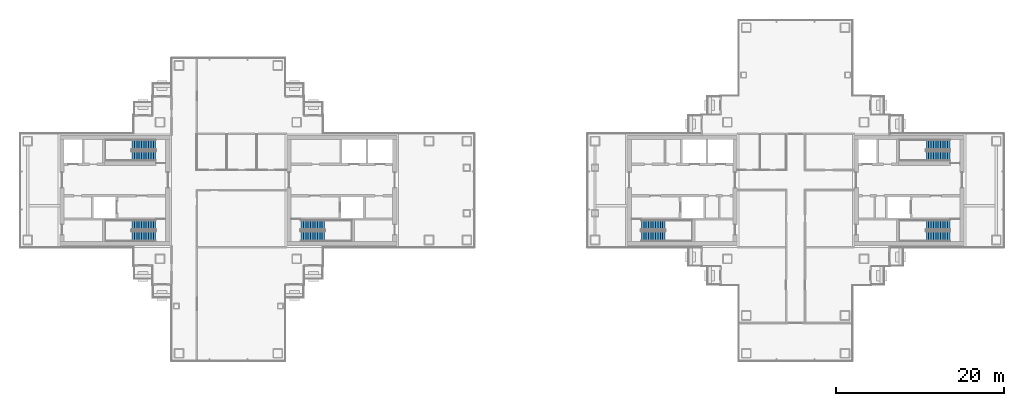
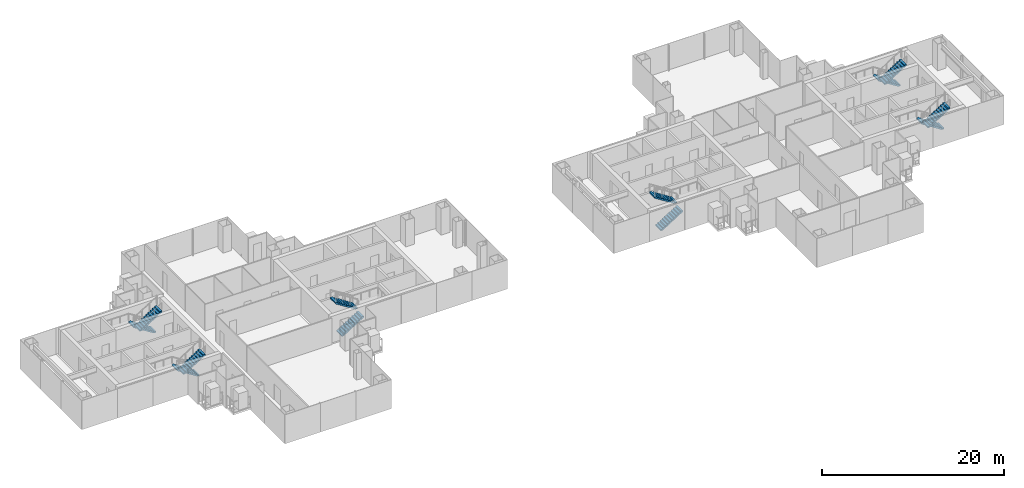
# One storey, part 14 of 17: 12 stair flights, 6 elements without a shape of their own.
"""IFC4 building model written with IfcOpenShell, lengths in metres."""

from ifc_helpers import new_model, si_unit, direction, frame, origin, place, context, subcontext, project, spatial, polyline, outline, extrude, material, type_object, element, aggregate, save


model = new_model("IFC4")

# Units and contexts
model_context = context("Model", 3, precision=1e-05, world=origin(), true_north=direction((0.0, 1.0)))
body_context = subcontext(model_context, "Body", "Model", "MODEL_VIEW")
ifc_project = project(units=[si_unit("LENGTHUNIT", "METRE"), si_unit("AREAUNIT", "SQUARE_METRE"), si_unit("VOLUMEUNIT", "CUBIC_METRE"), si_unit("PLANEANGLEUNIT", "RADIAN"), si_unit("MASSUNIT", "GRAM", prefix="KILO")], contexts=[model_context])

# Site, building, storey
site_placement = place(None, origin())
site = spatial("IfcSite", under=ifc_project, at=site_placement, CompositionType="ELEMENT")
building_placement = place(site_placement, origin())
building = spatial("IfcBuilding", under=site, at=building_placement, Name="Shamsa Quay Exchange Towers", CompositionType="ELEMENT")
storey_placement = place(building_placement, frame((0.0, 0.0, 170.10009765625)))
storey = spatial("IfcBuildingStorey", under=building, at=storey_placement, Name="L40", CompositionType="ELEMENT", Elevation=170.10009765625)

# Stair, stair flights
ifc_material = material(Name="Concrete C40/50", Category="concrete")
stair_type = type_object("IfcStairType", Name="EXIT STAIR 22 RISERS 177 MM", PredefinedType="HALF_TURN_STAIR", material=ifc_material)
stair_1_placement = place(storey_placement, origin())
stair_1 = element("IfcStair", 1, at=stair_1_placement, inside=storey, type_object=stair_type, Name="L40 Exit stair ST1", PredefinedType="HALF_TURN_STAIR")
stair_flight_type = type_object("IfcStairFlightType", Name="EXIT STAIR FLIGHT 11 RISERS 177 MM", PredefinedType="STRAIGHT", material=ifc_material)
stair_flight_1_placement = place(storey_placement, frame((-25.10009765625, -5.449951171875, 0.0)))
stair_flight_1 = element("IfcStairFlight", 2, at=stair_flight_1_placement, type_object=stair_flight_type, Name="ST1 flight 1", NumberOfRisers=11, NumberOfTreads=10, PredefinedType="STRAIGHT", RiserHeight=0.177272727, TreadLength=0.28, context=body_context, shape_type="SweptSolid", body=[
    extrude(outline(polyline([(0.0, 0.0), (0.0, 0.17724609375), (0.280029296875, 0.17724609375), (0.280029296875, 0.3544921875), (0.56005859375, 0.3544921875), (0.56005859375, 0.53173828125), (0.840087890625, 0.53173828125), (0.840087890625, 0.708984375), (1.1201171875, 0.708984375), (1.1201171875, 0.886474609375), (1.39990234375, 0.886474609375), (1.39990234375, 1.063720703125), (1.679931640625, 1.063720703125), (1.679931640625, 1.240966796875), (1.9599609375, 1.240966796875), (1.9599609375, 1.418212890625), (2.239990234375, 1.418212890625), (2.239990234375, 1.595458984375), (2.52001953125, 1.595458984375), (2.52001953125, 1.772705078125), (2.800048828125, 1.772705078125), (2.800048828125, 1.949951171875), (2.800048828125, 1.607177734375), (0.261474609375, 0.0), (0.0, 0.0)])), frame((0.0, 0.60009765625, 0.0), z_axis=(0.0, -1.0, 0.0), x_axis=(1.0, 0.0, 0.0)), (0.0, 0.0, 1.0), 1.199951171875),
])
stair_flight_2_placement = place(storey_placement, frame((-22.300048828125, -4.10009765625, 1.949951171875), z_axis=(0.0, 0.0, 1.0), x_axis=(-1.0, 0.0, 0.0)))
stair_flight_2 = element("IfcStairFlight", 3, at=stair_flight_2_placement, type_object=stair_flight_type, Name="ST1 flight 2", NumberOfRisers=11, NumberOfTreads=10, PredefinedType="STRAIGHT", RiserHeight=0.177272727, TreadLength=0.28, context=body_context, shape_type="SweptSolid", body=[
    extrude(outline(polyline([(0.0, 0.0), (0.0, 0.17724609375), (0.280029296875, 0.17724609375), (0.280029296875, 0.3544921875), (0.56005859375, 0.3544921875), (0.56005859375, 0.53173828125), (0.840087890625, 0.53173828125), (0.840087890625, 0.708984375), (1.1201171875, 0.708984375), (1.1201171875, 0.886474609375), (1.39990234375, 0.886474609375), (1.39990234375, 1.063720703125), (1.679931640625, 1.063720703125), (1.679931640625, 1.240966796875), (1.9599609375, 1.240966796875), (1.9599609375, 1.418212890625), (2.239990234375, 1.418212890625), (2.239990234375, 1.595458984375), (2.52001953125, 1.595458984375), (2.52001953125, 1.772705078125), (2.800048828125, 1.772705078125), (2.800048828125, 1.949951171875), (2.800048828125, 1.607177734375), (0.261474609375, 0.0), (0.0, 0.0)])), frame((0.0, 0.60009765625, 0.0), z_axis=(0.0, -1.0, 0.0), x_axis=(1.0, 0.0, 0.0)), (0.0, 0.0, 1.0), 1.199951171875),
])
aggregate(stair_1, [stair_flight_1, stair_flight_2])

stair_2_placement = place(storey_placement, origin())
stair_2 = element("IfcStair", 4, at=stair_2_placement, inside=storey, type_object=stair_type, Name="L40 Exit stair ST2", PredefinedType="HALF_TURN_STAIR")
stair_flight_3_placement = place(storey_placement, frame((-42.39990234375, -4.10009765625, 0.0), z_axis=(0.0, 0.0, 1.0), x_axis=(-1.0, 0.0, 0.0)))
stair_flight_3 = element("IfcStairFlight", 5, at=stair_flight_3_placement, type_object=stair_flight_type, Name="ST2 flight 1", NumberOfRisers=11, NumberOfTreads=10, PredefinedType="STRAIGHT", RiserHeight=0.177272727, TreadLength=0.28, context=body_context, shape_type="SweptSolid", body=[
    extrude(outline(polyline([(0.0, 0.0), (0.0, 0.17724609375), (0.280029296875, 0.17724609375), (0.280029296875, 0.3544921875), (0.56005859375, 0.3544921875), (0.56005859375, 0.53173828125), (0.840087890625, 0.53173828125), (0.840087890625, 0.708984375), (1.1201171875, 0.708984375), (1.1201171875, 0.886474609375), (1.39990234375, 0.886474609375), (1.39990234375, 1.063720703125), (1.679931640625, 1.063720703125), (1.679931640625, 1.240966796875), (1.9599609375, 1.240966796875), (1.9599609375, 1.418212890625), (2.239990234375, 1.418212890625), (2.239990234375, 1.595458984375), (2.52001953125, 1.595458984375), (2.52001953125, 1.772705078125), (2.800048828125, 1.772705078125), (2.800048828125, 1.949951171875), (2.800048828125, 1.607177734375), (0.261474609375, 0.0), (0.0, 0.0)])), frame((0.0, 0.60009765625, 0.0), z_axis=(0.0, -1.0, 0.0), x_axis=(1.0, 0.0, 0.0)), (0.0, 0.0, 1.0), 1.199951171875),
])
stair_flight_4_placement = place(storey_placement, frame((-45.199951171875, -5.449951171875, 1.949951171875)))
stair_flight_4 = element("IfcStairFlight", 6, at=stair_flight_4_placement, type_object=stair_flight_type, Name="ST2 flight 2", NumberOfRisers=11, NumberOfTreads=10, PredefinedType="STRAIGHT", RiserHeight=0.177272727, TreadLength=0.28, context=body_context, shape_type="SweptSolid", body=[
    extrude(outline(polyline([(0.0, 0.0), (0.0, 0.17724609375), (0.280029296875, 0.17724609375), (0.280029296875, 0.3544921875), (0.56005859375, 0.3544921875), (0.56005859375, 0.53173828125), (0.840087890625, 0.53173828125), (0.840087890625, 0.708984375), (1.1201171875, 0.708984375), (1.1201171875, 0.886474609375), (1.39990234375, 0.886474609375), (1.39990234375, 1.063720703125), (1.679931640625, 1.063720703125), (1.679931640625, 1.240966796875), (1.9599609375, 1.240966796875), (1.9599609375, 1.418212890625), (2.239990234375, 1.418212890625), (2.239990234375, 1.595458984375), (2.52001953125, 1.595458984375), (2.52001953125, 1.772705078125), (2.800048828125, 1.772705078125), (2.800048828125, 1.949951171875), (2.800048828125, 1.607177734375), (0.261474609375, 0.0), (0.0, 0.0)])), frame((0.0, 0.60009765625, 0.0), z_axis=(0.0, -1.0, 0.0), x_axis=(1.0, 0.0, 0.0)), (0.0, 0.0, 1.0), 1.199951171875),
])
aggregate(stair_2, [stair_flight_3, stair_flight_4])

stair_3_placement = place(storey_placement, origin())
stair_3 = element("IfcStair", 7, at=stair_3_placement, inside=storey, type_object=stair_type, Name="L40 Exit stair ST3", PredefinedType="HALF_TURN_STAIR")
stair_flight_5_placement = place(storey_placement, frame((-42.39990234375, 5.449951171875, 0.0), z_axis=(0.0, 0.0, 1.0), x_axis=(-1.0, 0.0, 0.0)))
stair_flight_5 = element("IfcStairFlight", 8, at=stair_flight_5_placement, type_object=stair_flight_type, Name="ST3 flight 1", NumberOfRisers=11, NumberOfTreads=10, PredefinedType="STRAIGHT", RiserHeight=0.177272727, TreadLength=0.28, context=body_context, shape_type="SweptSolid", body=[
    extrude(outline(polyline([(0.0, 0.0), (0.0, 0.17724609375), (0.280029296875, 0.17724609375), (0.280029296875, 0.3544921875), (0.56005859375, 0.3544921875), (0.56005859375, 0.53173828125), (0.840087890625, 0.53173828125), (0.840087890625, 0.708984375), (1.1201171875, 0.708984375), (1.1201171875, 0.886474609375), (1.39990234375, 0.886474609375), (1.39990234375, 1.063720703125), (1.679931640625, 1.063720703125), (1.679931640625, 1.240966796875), (1.9599609375, 1.240966796875), (1.9599609375, 1.418212890625), (2.239990234375, 1.418212890625), (2.239990234375, 1.595458984375), (2.52001953125, 1.595458984375), (2.52001953125, 1.772705078125), (2.800048828125, 1.772705078125), (2.800048828125, 1.949951171875), (2.800048828125, 1.607177734375), (0.261474609375, 0.0), (0.0, 0.0)])), frame((0.0, 0.60009765625, 0.0), z_axis=(0.0, -1.0, 0.0), x_axis=(1.0, 0.0, 0.0)), (0.0, 0.0, 1.0), 1.199951171875),
])
stair_flight_6_placement = place(storey_placement, frame((-45.199951171875, 4.10009765625, 1.949951171875)))
stair_flight_6 = element("IfcStairFlight", 9, at=stair_flight_6_placement, type_object=stair_flight_type, Name="ST3 flight 2", NumberOfRisers=11, NumberOfTreads=10, PredefinedType="STRAIGHT", RiserHeight=0.177272727, TreadLength=0.28, context=body_context, shape_type="SweptSolid", body=[
    extrude(outline(polyline([(0.0, 0.0), (0.0, 0.17724609375), (0.280029296875, 0.17724609375), (0.280029296875, 0.3544921875), (0.56005859375, 0.3544921875), (0.56005859375, 0.53173828125), (0.840087890625, 0.53173828125), (0.840087890625, 0.708984375), (1.1201171875, 0.708984375), (1.1201171875, 0.886474609375), (1.39990234375, 0.886474609375), (1.39990234375, 1.063720703125), (1.679931640625, 1.063720703125), (1.679931640625, 1.240966796875), (1.9599609375, 1.240966796875), (1.9599609375, 1.418212890625), (2.239990234375, 1.418212890625), (2.239990234375, 1.595458984375), (2.52001953125, 1.595458984375), (2.52001953125, 1.772705078125), (2.800048828125, 1.772705078125), (2.800048828125, 1.949951171875), (2.800048828125, 1.607177734375), (0.261474609375, 0.0), (0.0, 0.0)])), frame((0.0, 0.60009765625, 0.0), z_axis=(0.0, -1.0, 0.0), x_axis=(1.0, 0.0, 0.0)), (0.0, 0.0, 1.0), 1.199951171875),
])
aggregate(stair_3, [stair_flight_5, stair_flight_6])

stair_4_placement = place(storey_placement, origin())
stair_4 = element("IfcStair", 10, at=stair_4_placement, inside=storey, type_object=stair_type, Name="L40 Exit stair ST4", PredefinedType="HALF_TURN_STAIR")
stair_flight_7_placement = place(storey_placement, frame((15.39990234375, -5.449951171875, 0.0)))
stair_flight_7 = element("IfcStairFlight", 11, at=stair_flight_7_placement, type_object=stair_flight_type, Name="ST4 flight 1", NumberOfRisers=11, NumberOfTreads=10, PredefinedType="STRAIGHT", RiserHeight=0.177272727, TreadLength=0.28, context=body_context, shape_type="SweptSolid", body=[
    extrude(outline(polyline([(0.0, 0.0), (0.0, 0.17724609375), (0.280029296875, 0.17724609375), (0.280029296875, 0.3544921875), (0.56005859375, 0.3544921875), (0.56005859375, 0.53173828125), (0.840087890625, 0.53173828125), (0.840087890625, 0.708984375), (1.1201171875, 0.708984375), (1.1201171875, 0.886474609375), (1.39990234375, 0.886474609375), (1.39990234375, 1.063720703125), (1.679931640625, 1.063720703125), (1.679931640625, 1.240966796875), (1.9599609375, 1.240966796875), (1.9599609375, 1.418212890625), (2.239990234375, 1.418212890625), (2.239990234375, 1.595458984375), (2.52001953125, 1.595458984375), (2.52001953125, 1.772705078125), (2.800048828125, 1.772705078125), (2.800048828125, 1.949951171875), (2.800048828125, 1.607177734375), (0.261474609375, 0.0), (0.0, 0.0)])), frame((0.0, 0.60009765625, 0.0), z_axis=(0.0, -1.0, 0.0), x_axis=(1.0, 0.0, 0.0)), (0.0, 0.0, 1.0), 1.199951171875),
])
stair_flight_8_placement = place(storey_placement, frame((18.199951171875, -4.10009765625, 1.949951171875), z_axis=(0.0, 0.0, 1.0), x_axis=(-1.0, 0.0, 0.0)))
stair_flight_8 = element("IfcStairFlight", 12, at=stair_flight_8_placement, type_object=stair_flight_type, Name="ST4 flight 2", NumberOfRisers=11, NumberOfTreads=10, PredefinedType="STRAIGHT", RiserHeight=0.177272727, TreadLength=0.28, context=body_context, shape_type="SweptSolid", body=[
    extrude(outline(polyline([(0.0, 0.0), (0.0, 0.17724609375), (0.280029296875, 0.17724609375), (0.280029296875, 0.3544921875), (0.56005859375, 0.3544921875), (0.56005859375, 0.53173828125), (0.840087890625, 0.53173828125), (0.840087890625, 0.708984375), (1.1201171875, 0.708984375), (1.1201171875, 0.886474609375), (1.39990234375, 0.886474609375), (1.39990234375, 1.063720703125), (1.679931640625, 1.063720703125), (1.679931640625, 1.240966796875), (1.9599609375, 1.240966796875), (1.9599609375, 1.418212890625), (2.239990234375, 1.418212890625), (2.239990234375, 1.595458984375), (2.52001953125, 1.595458984375), (2.52001953125, 1.772705078125), (2.800048828125, 1.772705078125), (2.800048828125, 1.949951171875), (2.800048828125, 1.607177734375), (0.261474609375, 0.0), (0.0, 0.0)])), frame((0.0, 0.60009765625, 0.0), z_axis=(0.0, -1.0, 0.0), x_axis=(1.0, 0.0, 0.0)), (0.0, 0.0, 1.0), 1.199951171875),
])
aggregate(stair_4, [stair_flight_7, stair_flight_8])

stair_5_placement = place(storey_placement, origin())
stair_5 = element("IfcStair", 13, at=stair_5_placement, inside=storey, type_object=stair_type, Name="L40 Exit stair ST5", PredefinedType="HALF_TURN_STAIR")
stair_flight_9_placement = place(storey_placement, frame((52.10009765625, -4.10009765625, 0.0), z_axis=(0.0, 0.0, 1.0), x_axis=(-1.0, 0.0, 0.0)))
stair_flight_9 = element("IfcStairFlight", 14, at=stair_flight_9_placement, type_object=stair_flight_type, Name="ST5 flight 1", NumberOfRisers=11, NumberOfTreads=10, PredefinedType="STRAIGHT", RiserHeight=0.177272727, TreadLength=0.28, context=body_context, shape_type="SweptSolid", body=[
    extrude(outline(polyline([(0.0, 0.0), (0.0, 0.17724609375), (0.280029296875, 0.17724609375), (0.280029296875, 0.3544921875), (0.56005859375, 0.3544921875), (0.56005859375, 0.53173828125), (0.840087890625, 0.53173828125), (0.840087890625, 0.708984375), (1.1201171875, 0.708984375), (1.1201171875, 0.886474609375), (1.39990234375, 0.886474609375), (1.39990234375, 1.063720703125), (1.679931640625, 1.063720703125), (1.679931640625, 1.240966796875), (1.9599609375, 1.240966796875), (1.9599609375, 1.418212890625), (2.239990234375, 1.418212890625), (2.239990234375, 1.595458984375), (2.52001953125, 1.595458984375), (2.52001953125, 1.772705078125), (2.800048828125, 1.772705078125), (2.800048828125, 1.949951171875), (2.800048828125, 1.607177734375), (0.261474609375, 0.0), (0.0, 0.0)])), frame((0.0, 0.60009765625, 0.0), z_axis=(0.0, -1.0, 0.0), x_axis=(1.0, 0.0, 0.0)), (0.0, 0.0, 1.0), 1.199951171875),
])
stair_flight_10_placement = place(storey_placement, frame((49.300048828125, -5.449951171875, 1.949951171875)))
stair_flight_10 = element("IfcStairFlight", 15, at=stair_flight_10_placement, type_object=stair_flight_type, Name="ST5 flight 2", NumberOfRisers=11, NumberOfTreads=10, PredefinedType="STRAIGHT", RiserHeight=0.177272727, TreadLength=0.28, context=body_context, shape_type="SweptSolid", body=[
    extrude(outline(polyline([(0.0, 0.0), (0.0, 0.17724609375), (0.280029296875, 0.17724609375), (0.280029296875, 0.3544921875), (0.56005859375, 0.3544921875), (0.56005859375, 0.53173828125), (0.840087890625, 0.53173828125), (0.840087890625, 0.708984375), (1.1201171875, 0.708984375), (1.1201171875, 0.886474609375), (1.39990234375, 0.886474609375), (1.39990234375, 1.063720703125), (1.679931640625, 1.063720703125), (1.679931640625, 1.240966796875), (1.9599609375, 1.240966796875), (1.9599609375, 1.418212890625), (2.239990234375, 1.418212890625), (2.239990234375, 1.595458984375), (2.52001953125, 1.595458984375), (2.52001953125, 1.772705078125), (2.800048828125, 1.772705078125), (2.800048828125, 1.949951171875), (2.800048828125, 1.607177734375), (0.261474609375, 0.0), (0.0, 0.0)])), frame((0.0, 0.60009765625, 0.0), z_axis=(0.0, -1.0, 0.0), x_axis=(1.0, 0.0, 0.0)), (0.0, 0.0, 1.0), 1.199951171875),
])
aggregate(stair_5, [stair_flight_9, stair_flight_10])

stair_6_placement = place(storey_placement, origin())
stair_6 = element("IfcStair", 16, at=stair_6_placement, inside=storey, type_object=stair_type, Name="L40 Exit stair ST6", PredefinedType="HALF_TURN_STAIR")
stair_flight_11_placement = place(storey_placement, frame((52.10009765625, 5.449951171875, 0.0), z_axis=(0.0, 0.0, 1.0), x_axis=(-1.0, 0.0, 0.0)))
stair_flight_11 = element("IfcStairFlight", 17, at=stair_flight_11_placement, type_object=stair_flight_type, Name="ST6 flight 1", NumberOfRisers=11, NumberOfTreads=10, PredefinedType="STRAIGHT", RiserHeight=0.177272727, TreadLength=0.28, context=body_context, shape_type="SweptSolid", body=[
    extrude(outline(polyline([(0.0, 0.0), (0.0, 0.17724609375), (0.280029296875, 0.17724609375), (0.280029296875, 0.3544921875), (0.56005859375, 0.3544921875), (0.56005859375, 0.53173828125), (0.840087890625, 0.53173828125), (0.840087890625, 0.708984375), (1.1201171875, 0.708984375), (1.1201171875, 0.886474609375), (1.39990234375, 0.886474609375), (1.39990234375, 1.063720703125), (1.679931640625, 1.063720703125), (1.679931640625, 1.240966796875), (1.9599609375, 1.240966796875), (1.9599609375, 1.418212890625), (2.239990234375, 1.418212890625), (2.239990234375, 1.595458984375), (2.52001953125, 1.595458984375), (2.52001953125, 1.772705078125), (2.800048828125, 1.772705078125), (2.800048828125, 1.949951171875), (2.800048828125, 1.607177734375), (0.261474609375, 0.0), (0.0, 0.0)])), frame((0.0, 0.60009765625, 0.0), z_axis=(0.0, -1.0, 0.0), x_axis=(1.0, 0.0, 0.0)), (0.0, 0.0, 1.0), 1.199951171875),
])
stair_flight_12_placement = place(storey_placement, frame((49.300048828125, 4.10009765625, 1.949951171875)))
stair_flight_12 = element("IfcStairFlight", 18, at=stair_flight_12_placement, type_object=stair_flight_type, Name="ST6 flight 2", NumberOfRisers=11, NumberOfTreads=10, PredefinedType="STRAIGHT", RiserHeight=0.177272727, TreadLength=0.28, context=body_context, shape_type="SweptSolid", body=[
    extrude(outline(polyline([(0.0, 0.0), (0.0, 0.17724609375), (0.280029296875, 0.17724609375), (0.280029296875, 0.3544921875), (0.56005859375, 0.3544921875), (0.56005859375, 0.53173828125), (0.840087890625, 0.53173828125), (0.840087890625, 0.708984375), (1.1201171875, 0.708984375), (1.1201171875, 0.886474609375), (1.39990234375, 0.886474609375), (1.39990234375, 1.063720703125), (1.679931640625, 1.063720703125), (1.679931640625, 1.240966796875), (1.9599609375, 1.240966796875), (1.9599609375, 1.418212890625), (2.239990234375, 1.418212890625), (2.239990234375, 1.595458984375), (2.52001953125, 1.595458984375), (2.52001953125, 1.772705078125), (2.800048828125, 1.772705078125), (2.800048828125, 1.949951171875), (2.800048828125, 1.607177734375), (0.261474609375, 0.0), (0.0, 0.0)])), frame((0.0, 0.60009765625, 0.0), z_axis=(0.0, -1.0, 0.0), x_axis=(1.0, 0.0, 0.0)), (0.0, 0.0, 1.0), 1.199951171875),
])
aggregate(stair_6, [stair_flight_11, stair_flight_12])

save(model, "model.ifc")
